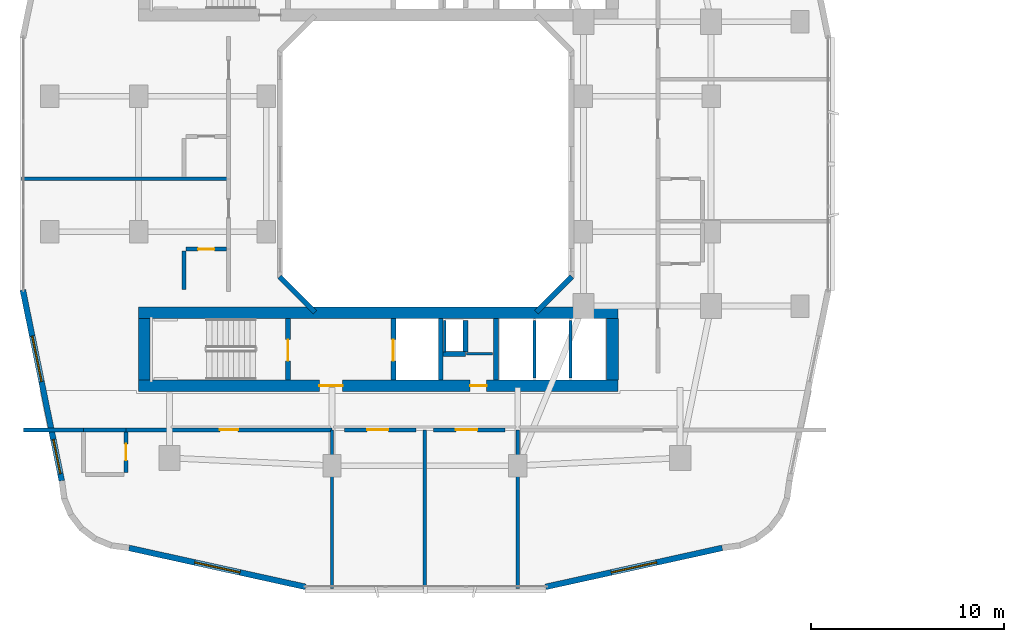
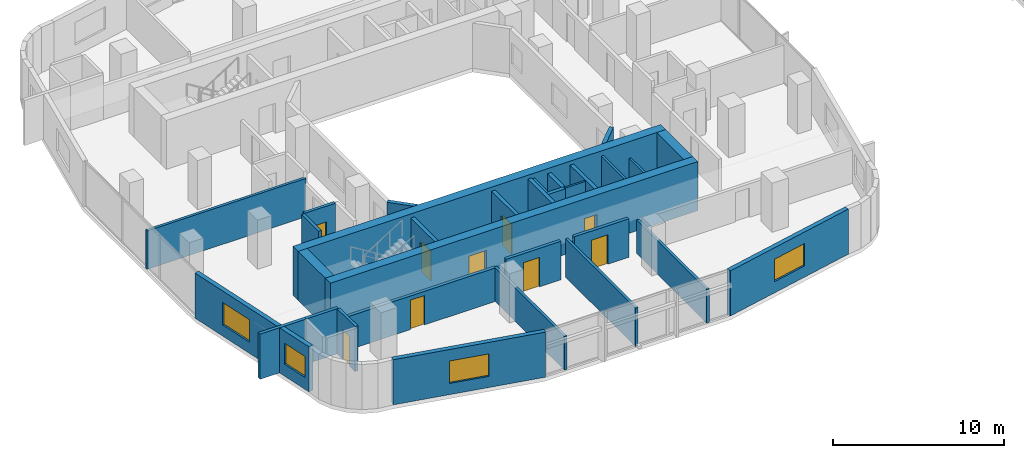
# One storey, part 13 of 26: 31 walls, 9 doors, 4 windows, 13 openings.
"""IFC4 building model written with IfcOpenShell, lengths in metres."""

from ifc_helpers import new_model, si_unit, derived_unit, direction, frame, frame_2d, origin, place, context, subcontext, project, spatial, rectangle, extrude, material, layer, layer_set, type_object, element, fill, save


model = new_model("IFC4")

# Units and contexts
model_context = context("Model", 3, precision=1e-05, world=origin(), true_north=direction((0.0, 1.0)))
body_context = subcontext(model_context, "Body", "Model", "MODEL_VIEW")
ifc_project = project(units=[si_unit("LENGTHUNIT", "METRE"), si_unit("AREAUNIT", "SQUARE_METRE"), si_unit("VOLUMEUNIT", "CUBIC_METRE"), si_unit("PLANEANGLEUNIT", "RADIAN"), si_unit("MASSUNIT", "GRAM", prefix="KILO"), derived_unit("THERMALTRANSMITTANCEUNIT", [(si_unit("POWERUNIT", "WATT"), 1), (si_unit("LENGTHUNIT", "METRE"), -2), (si_unit("THERMODYNAMICTEMPERATUREUNIT", "KELVIN"), -1)])], contexts=[model_context])

# Site, building, storey
site_placement = place(None, origin())
site = spatial("IfcSite", under=ifc_project, at=site_placement, CompositionType="ELEMENT")
building_placement = place(site_placement, origin())
building = spatial("IfcBuilding", under=site, at=building_placement, Name="Kivonza Crest Hotel", CompositionType="ELEMENT")
storey_placement = place(building_placement, frame((0.0, 0.0, 52.0)))
storey = spatial("IfcBuildingStorey", under=building, at=storey_placement, Name="L13", CompositionType="ELEMENT", Elevation=52.0)

# Walls
ifc_material_1 = material(Name="High-density acoustic masonry inter-tenancy wall", Category="masonry")
ifc_layer_1 = layer(ifc_material_1, 0.179931640625)
ifc_layer_set_1 = layer_set([ifc_layer_1], Name="High-density acoustic masonry inter-tenancy wall")
wall_type_1 = type_object("IfcWallType", Name="WL-ACOU-180", PredefinedType="SOLIDWALL", material=ifc_layer_set_1)
wall_1_placement = place(storey_placement, frame((16.199951171875, 3.06005859375, 0.0), z_axis=(0.0, 0.0, 1.0), x_axis=(0.0, 1.0, 0.0)))
element("IfcWall", 1, at=wall_1_placement, inside=storey, type_object=wall_type_1, Name="L13 interior partition WA-L13-T1S-DIV1", PredefinedType="SOLIDWALL", context=body_context, shape_type="SweptSolid", body=[
    extrude(rectangle(XDim=8.18994140625, YDim=0.179931640625, at=frame_2d((4.094970703125, 0.0))), origin(), (0.0, 0.0, 1.0), 2.39501953125),
])
wall_2_placement = place(storey_placement, frame((21.0, 3.06005859375, 0.0), z_axis=(0.0, 0.0, 1.0), x_axis=(0.0, 1.0, 0.0)))
element("IfcWall", 2, at=wall_2_placement, inside=storey, type_object=wall_type_1, Name="L13 interior partition WA-L13-T1S-SPDIV13", PredefinedType="SOLIDWALL", context=body_context, shape_type="SweptSolid", body=[
    extrude(rectangle(XDim=8.18994140625, YDim=0.179931640625, at=frame_2d((4.094970703125, 0.0))), origin(), (0.0, 0.0, 1.0), 2.7451171875),
])
wall_3_placement = place(storey_placement, frame((25.800048828125, 3.06005859375, 0.0), z_axis=(0.0, 0.0, 1.0), x_axis=(0.0, 1.0, 0.0)))
element("IfcWall", 3, at=wall_3_placement, inside=storey, type_object=wall_type_1, Name="L13 interior partition WA-L13-T1S-DIV2", PredefinedType="SOLIDWALL", context=body_context, shape_type="SweptSolid", body=[
    extrude(rectangle(XDim=8.18994140625, YDim=0.179931640625, at=frame_2d((4.094970703125, 0.0))), origin(), (0.0, 0.0, 1.0), 2.39501953125),
])
wall_4_placement = place(storey_placement, frame((0.139892578125, 24.22998046875, 0.0), z_axis=(0.0, 0.0, 1.0), x_axis=(1.0, 0.0, 0.0)))
element("IfcWall", 4, at=wall_4_placement, inside=storey, type_object=wall_type_1, Name="L13 interior partition WA-L13-T1W-DIV1", PredefinedType="SOLIDWALL", context=body_context, shape_type="SweptSolid", body=[
    extrude(rectangle(XDim=10.710205078125, YDim=0.179931640625, at=frame_2d((5.35498046875, 0.0))), origin(), (0.0, 0.0, 1.0), 2.7451171875),
])
ifc_material_2 = material(Name="Autoclaved aerated concrete blockwork", Category="masonry")
ifc_layer_2 = layer(ifc_material_2, 0.219970703125)
ifc_layer_set_2 = layer_set([ifc_layer_2], Name="Autoclaved aerated concrete blockwork")
wall_type_2 = type_object("IfcWallType", Name="WL-ACOU-220", PredefinedType="SOLIDWALL", material=ifc_layer_set_2)
wall_5_placement = place(storey_placement, frame((0.239990234375, 11.25, 0.0), z_axis=(0.0, 0.0, 1.0), x_axis=(1.0, 0.0, 0.0)))
element("IfcWall", 5, at=wall_5_placement, inside=storey, type_object=wall_type_2, Name="L13 interior partition WA-L13-S03-XCORR", PredefinedType="SOLIDWALL", context=body_context, shape_type="SweptSolid", body=[
    extrude(rectangle(XDim=3.110107421875, YDim=0.219970703125, at=frame_2d((1.55517578125, 0.0))), origin(), (0.0, 0.0, 1.0), 3.219970703125),
])
wall_6_placement = place(storey_placement, frame((3.35009765625, 11.25, 0.0), z_axis=(0.0, 0.0, 1.0), x_axis=(1.0, 0.0, 0.0)))
element("IfcWall", 6, at=wall_6_placement, inside=storey, type_object=wall_type_2, Name="L13 interior partition WA-L13-S03-BCORR", PredefinedType="SOLIDWALL", context=body_context, shape_type="SweptSolid", body=[
    extrude(rectangle(XDim=2.199951171875, YDim=0.219970703125, at=frame_2d((1.10009765625, 0.0))), origin(), (0.0, 0.0, 1.0), 3.219970703125),
])

# Wall, opening, door
wall_7_placement = place(storey_placement, frame((5.550048828125, 11.25, 0.0), z_axis=(0.0, 0.0, 1.0), x_axis=(1.0, 0.0, 0.0)))
wall_7 = element("IfcWall", 7, at=wall_7_placement, inside=storey, type_object=wall_type_2, Name="L13 interior partition WA-L13-S03-MCORR", PredefinedType="SOLIDWALL", context=body_context, shape_type="SweptSolid", body=[
    extrude(rectangle(XDim=10.64990234375, YDim=0.219970703125, at=frame_2d((5.324951171875, 0.0))), origin(), (0.0, 0.0, 1.0), 2.39501953125),
])
opening_1_placement = place(wall_7_placement, frame((4.85009765625, 0.0, 0.0)))
opening_1 = element("IfcOpeningElement", 8, at=opening_1_placement, cuts=wall_7, Name="Opening DU-60", PredefinedType="OPENING", context=body_context, shape_type="SweptSolid", body=[
    extrude(rectangle(XDim=0.949951171875, YDim=2.10009765625, at=frame_2d((0.47509765625, 1.050048828125))), frame((0.0, 0.1201171875, 0.0), z_axis=(0.0, -1.0, 0.0), x_axis=(1.0, 0.0, 0.0)), (0.0, 0.0, 1.0), 0.239990234375),
])
ifc_material_3 = material(Name="Hardwood timber oak", Category="wood")
door_type_1 = type_object("IfcDoorType", Name="DR-UNIT-950", OperationType="NOTDEFINED", PredefinedType="DOOR", material=ifc_material_3)
door_1_placement = place(opening_1_placement, frame((0.949951171875, 0.0, 0.0), z_axis=(0.0, 0.0, 1.0), x_axis=(-1.0, 0.0, 0.0)))
door_1 = element("IfcDoor", 9, at=door_1_placement, inside=storey, type_object=door_type_1, Name="L13 S03 guest unit entrance fire door", OperationType="SINGLE_SWING_LEFT", OverallHeight=2.10009765625, OverallWidth=0.949951171875, PredefinedType="DOOR", context=body_context, shape_type="SweptSolid", body=[
    extrude(rectangle(XDim=0.949951171875, YDim=2.10009765625, at=frame_2d((0.47509765625, 1.050048828125))), frame((0.0, 0.02490234375, 0.0), z_axis=(0.0, -1.0, 0.0), x_axis=(1.0, 0.0, 0.0)), (0.0, 0.0, 1.0), 0.050048828125),
])
fill(opening_1, door_1)

wall_8_placement = place(storey_placement, frame((16.85009765625, 11.25, 0.0), z_axis=(0.0, 0.0, 1.0), x_axis=(1.0, 0.0, 0.0)))
wall_8 = element("IfcWall", 10, at=wall_8_placement, inside=storey, type_object=wall_type_2, Name="L13 interior partition WA-L13-Z1-SPA13A-N", PredefinedType="SOLIDWALL", context=body_context, shape_type="SweptSolid", body=[
    extrude(rectangle(XDim=3.699951171875, YDim=0.219970703125, at=frame_2d((1.85009765625, 0.0))), origin(), (0.0, 0.0, 1.0), 2.7451171875),
])
opening_2_placement = place(wall_8_placement, frame((1.159912109375, 0.0, 0.0)))
opening_2 = element("IfcOpeningElement", 11, at=opening_2_placement, cuts=wall_8, Name="Opening DF-60M", PredefinedType="OPENING", context=body_context, shape_type="SweptSolid", body=[
    extrude(rectangle(XDim=1.10009765625, YDim=2.10009765625, at=frame_2d((0.550048828125, 1.050048828125))), frame((0.0, 0.1201171875, 0.0), z_axis=(0.0, -1.0, 0.0), x_axis=(1.0, 0.0, 0.0)), (0.0, 0.0, 1.0), 0.239990234375),
])
door_type_2 = type_object("IfcDoorType", Name="DR-FD60-1100", OperationType="NOTDEFINED", PredefinedType="DOOR", material=ifc_material_3)
door_2_placement = place(opening_2_placement, frame((1.10009765625, 0.0, 0.0), z_axis=(0.0, 0.0, 1.0), x_axis=(-1.0, 0.0, 0.0)))
door_2 = element("IfcDoor", 12, at=door_2_placement, inside=storey, type_object=door_type_2, Name="L13 Low-Rise Fitness Studio door", OperationType="SINGLE_SWING_RIGHT", OverallHeight=2.10009765625, OverallWidth=1.10009765625, PredefinedType="DOOR", context=body_context, shape_type="SweptSolid", body=[
    extrude(rectangle(XDim=1.10009765625, YDim=2.10009765625, at=frame_2d((0.550048828125, 1.050048828125))), frame((0.0, 0.02490234375, 0.0), z_axis=(0.0, -1.0, 0.0), x_axis=(1.0, 0.0, 0.0)), (0.0, 0.0, 1.0), 0.050048828125),
])
fill(opening_2, door_2)

wall_9_placement = place(storey_placement, frame((21.449951171875, 11.25, 0.0), z_axis=(0.0, 0.0, 1.0), x_axis=(1.0, 0.0, 0.0)))
wall_9 = element("IfcWall", 13, at=wall_9_placement, inside=storey, type_object=wall_type_2, Name="L13 interior partition WA-L13-Z1-SPA13B-N", PredefinedType="SOLIDWALL", context=body_context, shape_type="SweptSolid", body=[
    extrude(rectangle(XDim=3.699951171875, YDim=0.219970703125, at=frame_2d((1.85009765625, 0.0))), origin(), (0.0, 0.0, 1.0), 2.7451171875),
])
opening_3_placement = place(wall_9_placement, frame((1.159912109375, 0.0, 0.0)))
opening_3 = element("IfcOpeningElement", 14, at=opening_3_placement, cuts=wall_9, Name="Opening DF-60M", PredefinedType="OPENING", context=body_context, shape_type="SweptSolid", body=[
    extrude(rectangle(XDim=1.10009765625, YDim=2.10009765625, at=frame_2d((0.550048828125, 1.050048828125))), frame((0.0, 0.1201171875, 0.0), z_axis=(0.0, -1.0, 0.0), x_axis=(1.0, 0.0, 0.0)), (0.0, 0.0, 1.0), 0.239990234375),
])
door_3_placement = place(opening_3_placement, frame((1.10009765625, 0.0, 0.0), z_axis=(0.0, 0.0, 1.0), x_axis=(-1.0, 0.0, 0.0)))
door_3 = element("IfcDoor", 15, at=door_3_placement, inside=storey, type_object=door_type_2, Name="L13 Low-Rise Pilates Studio door", OperationType="SINGLE_SWING_LEFT", OverallHeight=2.10009765625, OverallWidth=1.10009765625, PredefinedType="DOOR", context=body_context, shape_type="SweptSolid", body=[
    extrude(rectangle(XDim=1.10009765625, YDim=2.10009765625, at=frame_2d((0.550048828125, 1.050048828125))), frame((0.0, 0.02490234375, 0.0), z_axis=(0.0, -1.0, 0.0), x_axis=(1.0, 0.0, 0.0)), (0.0, 0.0, 1.0), 0.050048828125),
])
fill(opening_3, door_3)

# Wall, openings, doors
ifc_material_4 = material(Name="Concrete C60/75", Category="concrete")
ifc_layer_3 = layer(ifc_material_4, 0.60009765625)
ifc_layer_set_3 = layer_set([ifc_layer_3], Name="Concrete C60/75")
wall_type_3 = type_object("IfcWallType", Name="WL-CORE-600", PredefinedType="SHEAR", material=ifc_layer_set_3)
wall_10_placement = place(storey_placement, frame((6.199951171875, 13.5400390625, 0.0), z_axis=(0.0, 0.0, 1.0), x_axis=(1.0, 0.0, 0.0)))
wall_10 = element("IfcWall", 16, at=wall_10_placement, inside=storey, type_object=wall_type_3, Name="Core wall T1-S South L13", PredefinedType="SHEAR", context=body_context, shape_type="SweptSolid", body=[
    extrude(rectangle(XDim=24.800048828125, YDim=0.60009765625, at=frame_2d((12.39990234375, 0.0))), origin(), (0.0, 0.0, 1.0), 3.5),
])
opening_4_placement = place(wall_10_placement, frame((9.35009765625, 0.0, 0.0)))
opening_4 = element("IfcOpeningElement", 17, at=opening_4_placement, cuts=wall_10, Name="Opening DF-60", PredefinedType="OPENING", context=body_context, shape_type="SweptSolid", body=[
    extrude(rectangle(XDim=1.199951171875, YDim=2.14990234375, at=frame_2d((0.60009765625, 1.074951171875))), frame((0.0, 0.31005859375, 0.0), z_axis=(0.0, -1.0, 0.0), x_axis=(1.0, 0.0, 0.0)), (0.0, 0.0, 1.0), 0.6201171875),
])
opening_5_placement = place(wall_10_placement, frame((17.139892578125, 0.0, 0.0)))
opening_5 = element("IfcOpeningElement", 18, at=opening_5_placement, cuts=wall_10, Name="Opening DF-60R", PredefinedType="OPENING", context=body_context, shape_type="SweptSolid", body=[
    extrude(rectangle(XDim=0.85009765625, YDim=2.10009765625, at=frame_2d((0.425048828125, 1.050048828125))), frame((0.0, 0.31005859375, 0.0), z_axis=(0.0, -1.0, 0.0), x_axis=(1.0, 0.0, 0.0)), (0.0, 0.0, 1.0), 0.6201171875),
])
door_type_3 = type_object("IfcDoorType", Name="DR-FD60-1200", OperationType="NOTDEFINED", PredefinedType="DOOR", material=ifc_material_3)
door_4_placement = place(opening_4_placement, frame((1.199951171875, 0.0, 0.0), z_axis=(0.0, 0.0, 1.0), x_axis=(-1.0, 0.0, 0.0)))
door_4 = element("IfcDoor", 19, at=door_4_placement, inside=storey, type_object=door_type_3, Name="L13 T1-S firefighting lobby fire door", OperationType="SINGLE_SWING_LEFT", OverallHeight=2.14990234375, OverallWidth=1.199951171875, PredefinedType="DOOR", context=body_context, shape_type="SweptSolid", body=[
    extrude(rectangle(XDim=1.199951171875, YDim=2.14990234375, at=frame_2d((0.60009765625, 1.074951171875))), frame((0.0, 0.02490234375, 0.0), z_axis=(0.0, -1.0, 0.0), x_axis=(1.0, 0.0, 0.0)), (0.0, 0.0, 1.0), 0.050048828125),
])
fill(opening_4, door_4)
door_type_4 = type_object("IfcDoorType", Name="DR-FD60-850", OperationType="NOTDEFINED", PredefinedType="DOOR", material=ifc_material_3)
door_5_placement = place(opening_5_placement, frame((0.85009765625, 0.0, 0.0), z_axis=(0.0, 0.0, 1.0), x_axis=(-1.0, 0.0, 0.0)))
door_5 = element("IfcDoor", 20, at=door_5_placement, inside=storey, type_object=door_type_4, Name="L13 T1-S core room door", OperationType="SINGLE_SWING_RIGHT", OverallHeight=2.10009765625, OverallWidth=0.85009765625, PredefinedType="DOOR", context=body_context, shape_type="SweptSolid", body=[
    extrude(rectangle(XDim=0.85009765625, YDim=2.10009765625, at=frame_2d((0.425048828125, 1.050048828125))), frame((0.0, 0.02490234375, 0.0), z_axis=(0.0, -1.0, 0.0), x_axis=(1.0, 0.0, 0.0)), (0.0, 0.0, 1.0), 0.050048828125),
])
fill(opening_5, door_5)

# Walls
wall_11_placement = place(storey_placement, frame((6.199951171875, 17.300048828125, 0.0), z_axis=(0.0, 0.0, 1.0), x_axis=(1.0, 0.0, 0.0)))
element("IfcWall", 21, at=wall_11_placement, inside=storey, type_object=wall_type_3, Name="Core wall T1-S North L13", PredefinedType="SHEAR", context=body_context, shape_type="SweptSolid", body=[
    extrude(rectangle(XDim=24.800048828125, YDim=0.60009765625, at=frame_2d((12.39990234375, 0.0))), origin(), (0.0, 0.0, 1.0), 3.5),
])
for number, where, z_axis, x_axis, name in (
    (22, (6.5, 13.840087890625, 0.0), (0.0, 0.0, 1.0), (0.0, 1.0, 0.0), "Core wall T1-S West L13"),
    (23, (30.699951171875, 13.840087890625, 0.0), (0.0, 0.0, 1.0), (0.0, 1.0, 0.0), "Core wall T1-S East L13"),
):
    element("IfcWall", number, at=place(storey_placement, frame(where, z_axis=z_axis, x_axis=x_axis)), inside=storey, type_object=wall_type_3, Name=name, PredefinedType="SHEAR", context=body_context, shape_type="SweptSolid", body=[
        extrude(rectangle(XDim=3.159912109375, YDim=0.60009765625, at=frame_2d((1.580078125, 0.0))), origin(), (0.0, 0.0, 1.0), 3.5),
    ])
ifc_material_5 = material(Name="Precast concrete C40/50", Category="concrete")
ifc_layer_4 = layer(ifc_material_5, 0.260009765625)
ifc_layer_set_4 = layer_set([ifc_layer_4], Name="Precast concrete C40/50")
wall_type_4 = type_object("IfcWallType", Name="WL-EXT-260", PredefinedType="STANDARD", material=ifc_layer_set_4)
wall_12_placement = place(storey_placement, frame((26.761962890625, 17.337890625, 0.0), z_axis=(0.0, 0.0, 1.0), x_axis=(0.707059717605, 0.707153841636, 0.0)))
element("IfcWall", 24, at=wall_12_placement, inside=storey, type_object=wall_type_4, Name="L13 T1 light-well exterior wall 2", PredefinedType="STANDARD", context=body_context, shape_type="SweptSolid", body=[
    extrude(rectangle(XDim=2.59375, YDim=0.260009765625, at=frame_2d((1.296875, 0.0))), origin(), (0.0, 0.0, 1.0), 3.219970703125),
])
wall_13_placement = place(storey_placement, frame((13.48388671875, 19.172119140625, 0.0), z_axis=(0.0, 0.0, 1.0), x_axis=(0.707106781187, -0.707106781187, 0.0)))
element("IfcWall", 25, at=wall_13_placement, inside=storey, type_object=wall_type_4, Name="L13 T1 light-well exterior wall 8", PredefinedType="STANDARD", context=body_context, shape_type="SweptSolid", body=[
    extrude(rectangle(XDim=2.593994140625, YDim=0.260009765625, at=frame_2d((1.296875, 0.0))), origin(), (0.0, 0.0, 1.0), 3.219970703125),
])

# Wall, opening, window
ifc_layer_5 = layer(ifc_material_5, 0.300048828125)
ifc_layer_set_5 = layer_set([ifc_layer_5], Name="Precast concrete C40/50")
wall_type_5 = type_object("IfcWallType", Name="WL-EXT-300", PredefinedType="STANDARD", material=ifc_layer_set_5)
wall_14_placement = place(storey_placement, frame((5.7041015625, 5.14794921875, 0.0), z_axis=(0.0, 0.0, 1.0), x_axis=(0.9765437942, -0.215318875183, 0.0)))
wall_14 = element("IfcWall", 26, at=wall_14_placement, inside=storey, type_object=wall_type_5, Name="L13 T1 exterior insulated wall 7", PredefinedType="STANDARD", context=body_context, shape_type="SweptSolid", body=[
    extrude(rectangle(XDim=9.353271484375, YDim=0.300048828125, at=frame_2d((4.6767578125, 0.0))), origin(), (0.0, 0.0, 1.0), 3.219970703125),
])
opening_6_placement = place(wall_14_placement, frame((3.47705078125, 0.0, 0.800048828125)))
opening_6 = element("IfcOpeningElement", 27, at=opening_6_placement, cuts=wall_14, Name="Opening WN-05", PredefinedType="OPENING", context=body_context, shape_type="SweptSolid", body=[
    extrude(rectangle(XDim=2.39990234375, YDim=1.60009765625, at=frame_2d((1.199951171875, 0.800048828125))), frame((0.0, 0.16015625, 0.0), z_axis=(0.0, -1.0, 0.0), x_axis=(1.0, 0.0, 0.0)), (0.0, 0.0, 1.0), 0.320068359375),
])
ifc_material_6 = material(Name="Thermally broken bronze aluminium and low-E double glazing", Category="aluminium")
window_type_1 = type_object("IfcWindowType", Name="WN-240x160", PartitioningType="TRIPLE_PANEL_VERTICAL", PredefinedType="WINDOW", material=ifc_material_6)
window_1_placement = place(opening_6_placement, origin())
window_1 = element("IfcWindow", 28, at=window_1_placement, inside=storey, type_object=window_type_1, Name="L13 T1 facade window 7", OverallHeight=1.60009765625, OverallWidth=2.39990234375, PartitioningType="SINGLE_PANEL", PredefinedType="WINDOW", context=body_context, shape_type="SweptSolid", body=[
    extrude(rectangle(XDim=2.39990234375, YDim=1.60009765625, at=frame_2d((1.199951171875, 0.800048828125))), frame((0.0, 0.030029296875, 0.0), z_axis=(0.0, -1.0, 0.0), x_axis=(1.0, 0.0, 0.0)), (0.0, 0.0, 1.0), 0.06005859375),
])
fill(opening_6, window_1)

wall_15_placement = place(storey_placement, frame((27.241943359375, 3.134033203125, 0.0), z_axis=(0.0, 0.0, 1.0), x_axis=(0.97654500432, 0.215313386808, 0.0)))
wall_15 = element("IfcWall", 29, at=wall_15_placement, inside=storey, type_object=wall_type_5, Name="L13 T1 exterior insulated wall 9", PredefinedType="STANDARD", context=body_context, shape_type="SweptSolid", body=[
    extrude(rectangle(XDim=9.353515625, YDim=0.300048828125, at=frame_2d((4.6767578125, 0.0))), origin(), (0.0, 0.0, 1.0), 3.219970703125),
])
opening_7_placement = place(wall_15_placement, frame((3.47705078125, 0.0, 0.800048828125)))
opening_7 = element("IfcOpeningElement", 30, at=opening_7_placement, cuts=wall_15, Name="Opening WN-05", PredefinedType="OPENING", context=body_context, shape_type="SweptSolid", body=[
    extrude(rectangle(XDim=2.39990234375, YDim=1.60009765625, at=frame_2d((1.199951171875, 0.800048828125))), frame((0.0, 0.16015625, 0.0), z_axis=(0.0, -1.0, 0.0), x_axis=(1.0, 0.0, 0.0)), (0.0, 0.0, 1.0), 0.320068359375),
])
window_2_placement = place(opening_7_placement, origin())
window_2 = element("IfcWindow", 31, at=window_2_placement, inside=storey, type_object=window_type_1, Name="L13 T1 facade window 9", OverallHeight=1.60009765625, OverallWidth=2.39990234375, PartitioningType="SINGLE_PANEL", PredefinedType="WINDOW", context=body_context, shape_type="SweptSolid", body=[
    extrude(rectangle(XDim=2.39990234375, YDim=1.60009765625, at=frame_2d((1.199951171875, 0.800048828125))), frame((0.0, 0.030029296875, 0.0), z_axis=(0.0, -1.0, 0.0), x_axis=(1.0, 0.0, 0.0)), (0.0, 0.0, 1.0), 0.06005859375),
])
fill(opening_7, window_2)

# Wall, openings, windows
wall_16_placement = place(storey_placement, frame((0.216064453125, 18.48388671875, 0.0), z_axis=(0.0, 0.0, 1.0), x_axis=(0.199990901713, -0.979797754249, 0.0)))
wall_16 = element("IfcWall", 32, at=wall_16_placement, inside=storey, type_object=wall_type_5, Name="L13 T1 exterior insulated wall 36", PredefinedType="STANDARD", context=body_context, shape_type="SweptSolid", body=[
    extrude(rectangle(XDim=10.065185546875, YDim=0.300048828125, at=frame_2d((5.03271484375, 0.0))), origin(), (0.0, 0.0, 1.0), 3.219970703125),
])
opening_8_placement = place(wall_16_placement, frame((2.428955078125, 0.0, 0.800048828125)))
opening_8 = element("IfcOpeningElement", 33, at=opening_8_placement, cuts=wall_16, Name="Opening WN-05", PredefinedType="OPENING", context=body_context, shape_type="SweptSolid", body=[
    extrude(rectangle(XDim=2.39990234375, YDim=1.60009765625, at=frame_2d((1.199951171875, 0.800048828125))), frame((0.0, 0.16015625, 0.0), z_axis=(0.0, -1.0, 0.0), x_axis=(1.0, 0.0, 0.0)), (0.0, 0.0, 1.0), 0.320068359375),
])
opening_9_placement = place(wall_16_placement, frame((7.886962890625, 0.0, 0.85009765625)))
opening_9 = element("IfcOpeningElement", 34, at=opening_9_placement, cuts=wall_16, Name="Opening WN-03", PredefinedType="OPENING", context=body_context, shape_type="SweptSolid", body=[
    extrude(rectangle(XDim=1.800048828125, YDim=1.5, at=frame_2d((0.89990234375, 0.75))), frame((0.0, 0.16015625, 0.0), z_axis=(0.0, -1.0, 0.0), x_axis=(1.0, 0.0, 0.0)), (0.0, 0.0, 1.0), 0.320068359375),
])
window_type_2 = type_object("IfcWindowType", Name="WN-180x150", PartitioningType="DOUBLE_PANEL_VERTICAL", PredefinedType="WINDOW", material=ifc_material_6)
window_3_placement = place(opening_9_placement, origin())
window_3 = element("IfcWindow", 35, at=window_3_placement, inside=storey, type_object=window_type_2, Name="L13 T1 facade window 36 bay 2", OverallHeight=1.5, OverallWidth=1.800048828125, PartitioningType="SINGLE_PANEL", PredefinedType="WINDOW", context=body_context, shape_type="SweptSolid", body=[
    extrude(rectangle(XDim=1.800048828125, YDim=1.5, at=frame_2d((0.89990234375, 0.75))), frame((0.0, 0.030029296875, 0.0), z_axis=(0.0, -1.0, 0.0), x_axis=(1.0, 0.0, 0.0)), (0.0, 0.0, 1.0), 0.06005859375),
])
fill(opening_9, window_3)
window_4_placement = place(opening_8_placement, origin())
window_4 = element("IfcWindow", 36, at=window_4_placement, inside=storey, type_object=window_type_1, Name="L13 T1 facade window 36 bay 1", OverallHeight=1.60009765625, OverallWidth=2.39990234375, PartitioningType="SINGLE_PANEL", PredefinedType="WINDOW", context=body_context, shape_type="SweptSolid", body=[
    extrude(rectangle(XDim=2.39990234375, YDim=1.60009765625, at=frame_2d((1.199951171875, 0.800048828125))), frame((0.0, 0.030029296875, 0.0), z_axis=(0.0, -1.0, 0.0), x_axis=(1.0, 0.0, 0.0)), (0.0, 0.0, 1.0), 0.06005859375),
])
fill(opening_8, window_4)

# Walls
ifc_material_7 = material(Name="Concrete blockwork fire-compartment wall", Category="masonry")
ifc_layer_6 = layer(ifc_material_7, 0.25)
ifc_layer_set_6 = layer_set([ifc_layer_6], Name="Concrete blockwork fire-compartment wall")
wall_type_6 = type_object("IfcWallType", Name="WL-FIRE-250", PredefinedType="SOLIDWALL", material=ifc_layer_set_6)
wall_17_placement = place(storey_placement, frame((23.10009765625, 15.280029296875, 0.0), z_axis=(0.0, 0.0, 1.0), x_axis=(0.0, 1.0, 0.0)))
element("IfcWall", 37, at=wall_17_placement, inside=storey, type_object=wall_type_6, Name="L13 interior partition WA-L13-T1-S-MEPR-E", PredefinedType="SOLIDWALL", context=body_context, shape_type="SweptSolid", body=[
    extrude(rectangle(XDim=1.619873046875, YDim=0.25, at=frame_2d((0.81005859375, 0.0))), origin(), (0.0, 0.0, 1.0), 3.219970703125),
])
wall_18_placement = place(storey_placement, frame((21.949951171875, 15.179931640625, 0.0), z_axis=(0.0, 0.0, 1.0), x_axis=(1.0, 0.0, 0.0)))
element("IfcWall", 38, at=wall_18_placement, inside=storey, type_object=wall_type_6, Name="L13 interior partition WA-L13-T1-S-MEPR-H", PredefinedType="SOLIDWALL", context=body_context, shape_type="SweptSolid", body=[
    extrude(rectangle(XDim=1.150146484375, YDim=0.25, at=frame_2d((0.5751953125, 0.0))), origin(), (0.0, 0.0, 1.0), 3.219970703125),
])
ifc_material_8 = material(Name="Metal-stud gypsum board partition", Category="gypsum")
ifc_layer_7 = layer(ifc_material_8, 0.125)
ifc_layer_set_7 = layer_set([ifc_layer_7], Name="Metal-stud gypsum board partition")
wall_type_7 = type_object("IfcWallType", Name="WL-PART-125", PredefinedType="PARTITIONING", material=ifc_layer_set_7)
wall_19_placement = place(storey_placement, frame((23.14990234375, 15.179931640625, 0.0), z_axis=(0.0, 0.0, 1.0), x_axis=(1.0, 0.0, 0.0)))
element("IfcWall", 39, at=wall_19_placement, inside=storey, type_object=wall_type_7, Name="L13 interior partition WP-L13-T1-S-SV2H", PredefinedType="PARTITIONING", context=body_context, shape_type="SweptSolid", body=[
    extrude(rectangle(XDim=1.35009765625, YDim=0.125, at=frame_2d((0.675048828125, 0.0))), origin(), (0.0, 0.0, 1.0), 3.219970703125),
])
ifc_material_9 = material(Name="Twin-stud acoustic gypsum board partition", Category="gypsum")
ifc_layer_8 = layer(ifc_material_9, 0.14990234375)
ifc_layer_set_8 = layer_set([ifc_layer_8], Name="Twin-stud acoustic gypsum board partition")
wall_type_8 = type_object("IfcWallType", Name="WL-PART-150", PredefinedType="PARTITIONING", material=ifc_layer_set_8)
wall_20_placement = place(storey_placement, frame((22.030029296875, 15.280029296875, 0.0), z_axis=(0.0, 0.0, 1.0), x_axis=(0.0, 1.0, 0.0)))
element("IfcWall", 40, at=wall_20_placement, inside=storey, type_object=wall_type_8, Name="L13 interior partition WA-L13-T1-S-MEPR-W", PredefinedType="PARTITIONING", context=body_context, shape_type="SweptSolid", body=[
    extrude(rectangle(XDim=1.619873046875, YDim=0.14990234375, at=frame_2d((0.81005859375, 0.0))), origin(), (0.0, 0.0, 1.0), 3.219970703125),
])
wall_21_placement = place(storey_placement, frame((26.6669921875, 13.93994140625, 0.0), z_axis=(0.0, 0.0, 1.0), x_axis=(0.0, 1.0, 0.0)))
element("IfcWall", 41, at=wall_21_placement, inside=storey, type_object=wall_type_8, Name="L13 interior partition WP-L13-T1-S-BSH-1", PredefinedType="PARTITIONING", context=body_context, shape_type="SweptSolid", body=[
    extrude(rectangle(XDim=2.9599609375, YDim=0.14990234375, at=frame_2d((1.47998046875, 0.0))), origin(), (0.0, 0.0, 1.0), 3.219970703125),
])
wall_22_placement = place(storey_placement, frame((28.532958984375, 13.93994140625, 0.0), z_axis=(0.0, 0.0, 1.0), x_axis=(0.0, 1.0, 0.0)))
element("IfcWall", 42, at=wall_22_placement, inside=storey, type_object=wall_type_8, Name="L13 interior partition WP-L13-T1-S-BSH-2", PredefinedType="PARTITIONING", context=body_context, shape_type="SweptSolid", body=[
    extrude(rectangle(XDim=2.9599609375, YDim=0.14990234375, at=frame_2d((1.47998046875, 0.0))), origin(), (0.0, 0.0, 1.0), 2.39501953125),
])

# Wall, opening, door
ifc_material_10 = material(Name="Moisture-resistant plumbing chase partition wall", Category="gypsum")
ifc_layer_9 = layer(ifc_material_10, 0.199951171875)
ifc_layer_set_9 = layer_set([ifc_layer_9], Name="Moisture-resistant plumbing chase partition wall")
wall_type_9 = type_object("IfcWallType", Name="WL-PLUMB-200", PredefinedType="PLUMBINGWALL", material=ifc_layer_set_9)
wall_23_placement = place(storey_placement, frame((5.550048828125, 9.050048828125, 0.0), z_axis=(0.0, 0.0, 1.0), x_axis=(0.0, 1.0, 0.0)))
wall_23 = element("IfcWall", 43, at=wall_23_placement, inside=storey, type_object=wall_type_9, Name="L13 interior partition WW-L13-S03-BV", PredefinedType="PLUMBINGWALL", context=body_context, shape_type="SweptSolid", body=[
    extrude(rectangle(XDim=2.099853515625, YDim=0.199951171875, at=frame_2d((1.0498046875, 0.0))), origin(), (0.0, 0.0, 1.0), 3.219970703125),
])
opening_10_placement = place(wall_23_placement, frame((0.625, 0.0, 0.0)))
opening_10 = element("IfcOpeningElement", 44, at=opening_10_placement, cuts=wall_23, Name="Opening DI-85", PredefinedType="OPENING", context=body_context, shape_type="SweptSolid", body=[
    extrude(rectangle(XDim=0.85009765625, YDim=2.10009765625, at=frame_2d((0.425048828125, 1.050048828125))), frame((0.0, 0.10986328125, 0.0), z_axis=(0.0, -1.0, 0.0), x_axis=(1.0, 0.0, 0.0)), (0.0, 0.0, 1.0), 0.219970703125),
])
door_type_5 = type_object("IfcDoorType", Name="DR-INT-850", OperationType="NOTDEFINED", PredefinedType="DOOR", material=ifc_material_3)
door_6_placement = place(opening_10_placement, frame((0.85009765625, 0.0, 0.0), z_axis=(0.0, 0.0, 1.0), x_axis=(-1.0, 0.0, 0.0)))
door_6 = element("IfcDoor", 45, at=door_6_placement, inside=storey, type_object=door_type_5, Name="L13 S03 en-suite bathroom door", OperationType="SINGLE_SWING_RIGHT", OverallHeight=2.10009765625, OverallWidth=0.85009765625, PredefinedType="DOOR", context=body_context, shape_type="SweptSolid", body=[
    extrude(rectangle(XDim=0.85009765625, YDim=2.10009765625, at=frame_2d((0.425048828125, 1.050048828125))), frame((0.0, 0.02490234375, 0.0), z_axis=(0.0, -1.0, 0.0), x_axis=(1.0, 0.0, 0.0)), (0.0, 0.0, 1.0), 0.050048828125),
])
fill(opening_10, door_6)

wall_24_placement = place(storey_placement, frame((8.64990234375, 20.60009765625, 0.0), z_axis=(0.0, 0.0, 1.0), x_axis=(1.0, 0.0, 0.0)))
wall_24 = element("IfcWall", 46, at=wall_24_placement, inside=storey, type_object=wall_type_9, Name="L13 interior partition WW-L13-W04-BH", PredefinedType="PLUMBINGWALL", context=body_context, shape_type="SweptSolid", body=[
    extrude(rectangle(XDim=2.10009765625, YDim=0.199951171875, at=frame_2d((1.050048828125, 0.0))), origin(), (0.0, 0.0, 1.0), 3.219970703125),
])
opening_11_placement = place(wall_24_placement, frame((0.625, 0.0, 0.0)))
opening_11 = element("IfcOpeningElement", 47, at=opening_11_placement, cuts=wall_24, Name="Opening DI-85", PredefinedType="OPENING", context=body_context, shape_type="SweptSolid", body=[
    extrude(rectangle(XDim=0.85009765625, YDim=2.10009765625, at=frame_2d((0.425048828125, 1.050048828125))), frame((0.0, 0.10986328125, 0.0), z_axis=(0.0, -1.0, 0.0), x_axis=(1.0, 0.0, 0.0)), (0.0, 0.0, 1.0), 0.219970703125),
])
door_7_placement = place(opening_11_placement, origin())
door_7 = element("IfcDoor", 48, at=door_7_placement, inside=storey, type_object=door_type_5, Name="L13 W04 en-suite bathroom door", OperationType="SINGLE_SWING_LEFT", OverallHeight=2.10009765625, OverallWidth=0.85009765625, PredefinedType="DOOR", context=body_context, shape_type="SweptSolid", body=[
    extrude(rectangle(XDim=0.85009765625, YDim=2.10009765625, at=frame_2d((0.425048828125, 1.050048828125))), frame((0.0, 0.02490234375, 0.0), z_axis=(0.0, -1.0, 0.0), x_axis=(1.0, 0.0, 0.0)), (0.0, 0.0, 1.0), 0.050048828125),
])
fill(opening_11, door_7)

# Wall
wall_25_placement = place(storey_placement, frame((8.550048828125, 18.5, 0.0), z_axis=(0.0, 0.0, 1.0), x_axis=(0.0, 1.0, 0.0)))
element("IfcWall", 49, at=wall_25_placement, inside=storey, type_object=wall_type_9, Name="L13 interior partition WW-L13-W04-BV", PredefinedType="PLUMBINGWALL", context=body_context, shape_type="SweptSolid", body=[
    extrude(rectangle(XDim=2.0, YDim=0.199951171875, at=frame_2d((1.0, 0.0))), origin(), (0.0, 0.0, 1.0), 3.219970703125),
])

# Wall, opening, door
ifc_material_11 = material(Name="Concrete C50/60", Category="concrete")
ifc_layer_10 = layer(ifc_material_11, 0.25)
ifc_layer_set_10 = layer_set([ifc_layer_10], Name="Concrete C50/60")
wall_type_10 = type_object("IfcWallType", Name="WL-SHAFT-250", PredefinedType="STANDARD", material=ifc_layer_set_10)
wall_26_placement = place(storey_placement, frame((13.925048828125, 13.840087890625, 0.0), z_axis=(0.0, 0.0, 1.0), x_axis=(0.0, 1.0, 0.0)))
wall_26 = element("IfcWall", 50, at=wall_26_placement, inside=storey, type_object=wall_type_10, Name="Core shaft wall T1-S STAIR L13", PredefinedType="STANDARD", context=body_context, shape_type="SweptSolid", body=[
    extrude(rectangle(XDim=3.159912109375, YDim=0.25, at=frame_2d((1.580078125, 0.0))), origin(), (0.0, 0.0, 1.0), 3.219970703125),
])
opening_12_placement = place(wall_26_placement, frame((0.97998046875, 0.0, 0.0)))
opening_12 = element("IfcOpeningElement", 51, at=opening_12_placement, cuts=wall_26, Name="Opening DF-120", PredefinedType="OPENING", context=body_context, shape_type="SweptSolid", body=[
    extrude(rectangle(XDim=1.10009765625, YDim=2.14990234375, at=frame_2d((0.550048828125, 1.074951171875))), frame((0.0, 0.135009765625, 0.0), z_axis=(0.0, -1.0, 0.0), x_axis=(1.0, 0.0, 0.0)), (0.0, 0.0, 1.0), 0.27001953125),
])
ifc_material_12 = material(Name="Galvanised steel", Category="steel")
door_type_6 = type_object("IfcDoorType", Name="DR-FD120-1100", OperationType="NOTDEFINED", PredefinedType="DOOR", material=ifc_material_12)
door_8_placement = place(opening_12_placement, frame((1.10009765625, 0.0, 0.0), z_axis=(0.0, 0.0, 1.0), x_axis=(-1.0, 0.0, 0.0)))
door_8 = element("IfcDoor", 52, at=door_8_placement, inside=storey, type_object=door_type_6, Name="L13 T1-S stair fire door", OperationType="SINGLE_SWING_RIGHT", OverallHeight=2.14990234375, OverallWidth=1.10009765625, PredefinedType="DOOR", context=body_context, shape_type="SweptSolid", body=[
    extrude(rectangle(XDim=1.10009765625, YDim=2.14990234375, at=frame_2d((0.550048828125, 1.074951171875))), frame((0.0, 0.02490234375, 0.0), z_axis=(0.0, -1.0, 0.0), x_axis=(1.0, 0.0, 0.0)), (0.0, 0.0, 1.0), 0.050048828125),
])
fill(opening_12, door_8)

wall_27_placement = place(storey_placement, frame((19.375, 13.840087890625, 0.0), z_axis=(0.0, 0.0, 1.0), x_axis=(0.0, 1.0, 0.0)))
wall_27 = element("IfcWall", 53, at=wall_27_placement, inside=storey, type_object=wall_type_10, Name="Core shaft wall T1-S FFL-W L13", PredefinedType="STANDARD", context=body_context, shape_type="SweptSolid", body=[
    extrude(rectangle(XDim=3.159912109375, YDim=0.25, at=frame_2d((1.580078125, 0.0))), origin(), (0.0, 0.0, 1.0), 3.219970703125),
])
opening_13_placement = place(wall_27_placement, frame((0.97998046875, 0.0, 0.0)))
opening_13 = element("IfcOpeningElement", 54, at=opening_13_placement, cuts=wall_27, Name="Opening LD-120", PredefinedType="OPENING", context=body_context, shape_type="SweptSolid", body=[
    extrude(rectangle(XDim=1.10009765625, YDim=2.14990234375, at=frame_2d((0.550048828125, 1.074951171875))), frame((0.0, 0.135009765625, 0.0), z_axis=(0.0, -1.0, 0.0), x_axis=(1.0, 0.0, 0.0)), (0.0, 0.0, 1.0), 0.27001953125),
])
ifc_material_13 = material(Name="Stainless steel", Category="steel")
door_type_7 = type_object("IfcDoorType", Name="DR-LD120-1100", OperationType="NOTDEFINED", PredefinedType="DOOR", material=ifc_material_13)
door_9_placement = place(opening_13_placement, origin())
door_9 = element("IfcDoor", 55, at=door_9_placement, inside=storey, type_object=door_type_7, Name="L13 FFL-T1-S firefighting lift sliding landing door", OperationType="DOUBLE_DOOR_SLIDING", OverallHeight=2.14990234375, OverallWidth=1.10009765625, PredefinedType="DOOR", context=body_context, shape_type="SweptSolid", body=[
    extrude(rectangle(XDim=1.10009765625, YDim=2.14990234375, at=frame_2d((0.550048828125, 1.074951171875))), frame((0.0, 0.02490234375, 0.0), z_axis=(0.0, -1.0, 0.0), x_axis=(1.0, 0.0, 0.0)), (0.0, 0.0, 1.0), 0.050048828125),
])
fill(opening_13, door_9)

# Walls
for number, where, z_axis, x_axis, name in (
    (56, (21.824951171875, 13.840087890625, 0.0), (0.0, 0.0, 1.0), (0.0, 1.0, 0.0), "Core shaft wall T1-S FFL-E L13"),
    (57, (24.675048828125, 13.840087890625, 0.0), (0.0, 0.0, 1.0), (0.0, 1.0, 0.0), "Core shaft wall T1-S BANK-W L13"),
):
    element("IfcWall", number, at=place(storey_placement, frame(where, z_axis=z_axis, x_axis=x_axis)), inside=storey, type_object=wall_type_10, Name=name, PredefinedType="STANDARD", context=body_context, shape_type="SweptSolid", body=[
        extrude(rectangle(XDim=3.159912109375, YDim=0.25, at=frame_2d((1.580078125, 0.0))), origin(), (0.0, 0.0, 1.0), 3.219970703125),
    ])

save(model, "model.ifc")
